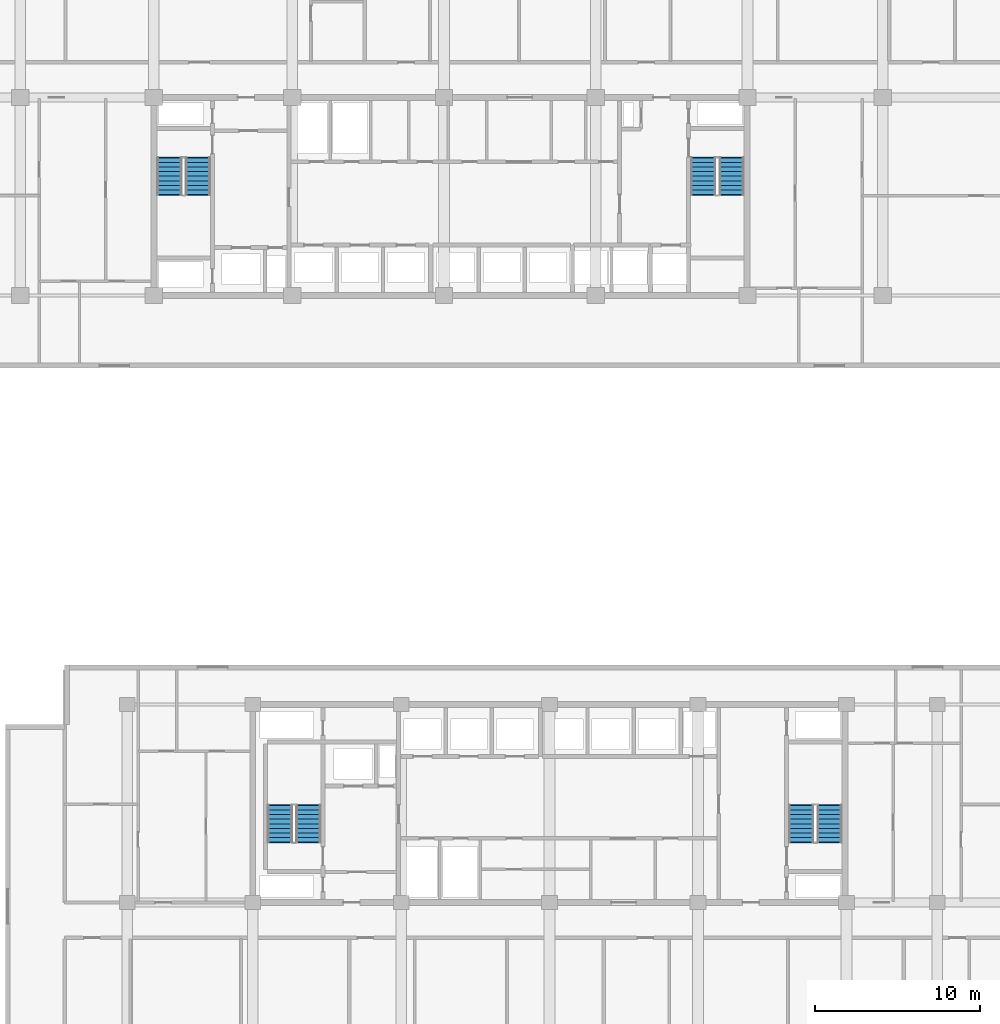
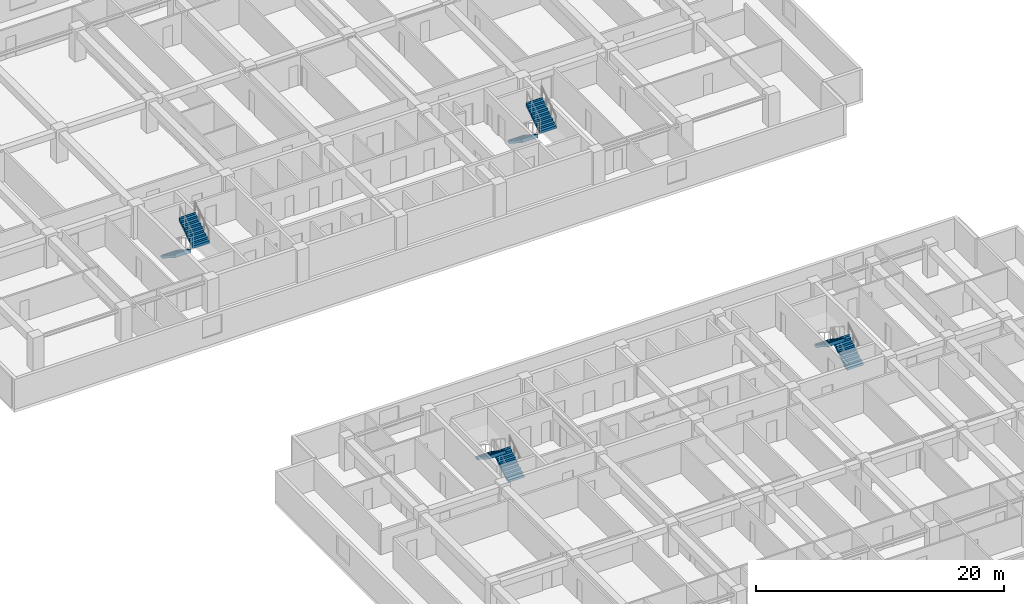
# One storey, part 18 of 23: 8 stair flights, 4 elements without a shape of their own.
"""IFC4 building model written with IfcOpenShell, lengths in metres."""

from ifc_helpers import new_model, si_unit, direction, frame, origin, place, context, subcontext, project, spatial, polyline, outline, extrude, material, type_object, element, aggregate, save


model = new_model("IFC4")

# Units and contexts
model_context = context("Model", 3, precision=1e-05, world=origin(), true_north=direction((0.0, 1.0)))
body_context = subcontext(model_context, "Body", "Model", "MODEL_VIEW")
ifc_project = project(units=[si_unit("LENGTHUNIT", "METRE"), si_unit("AREAUNIT", "SQUARE_METRE"), si_unit("VOLUMEUNIT", "CUBIC_METRE"), si_unit("PLANEANGLEUNIT", "RADIAN"), si_unit("MASSUNIT", "GRAM", prefix="KILO")], contexts=[model_context])

# Site, building, storey
site_placement = place(None, origin())
site = spatial("IfcSite", under=ifc_project, at=site_placement, CompositionType="ELEMENT")
building_placement = place(site_placement, origin())
building = spatial("IfcBuilding", under=site, at=building_placement, Name="Korimba Cascade Residences", CompositionType="ELEMENT")
storey_placement = place(building_placement, frame((0.0, 0.0, 50.0)))
storey = spatial("IfcBuildingStorey", under=building, at=storey_placement, Name="L13", CompositionType="ELEMENT", Elevation=50.0)

# Stair, stair flights
ifc_material = material(Name="Concrete C50/60", Category="concrete")
stair_type_1 = type_object("IfcStairType", Name="STR-W1-18R-1806", PredefinedType="HALF_TURN_STAIR", material=ifc_material)
stair_1_placement = place(storey_placement, origin())
stair_1 = element("IfcStair", 1, at=stair_1_placement, inside=storey, type_object=stair_type_1, Name="L13 Tower 1 West Fire Stair ST-W1", PredefinedType="HALF_TURN_STAIR")
stair_flight_type = type_object("IfcStairFlightType", Name="STF-DL-18R-1806-1520", PredefinedType="STRAIGHT", material=ifc_material)
stair_flight_1_placement = place(storey_placement, frame((77.06005859375, 63.550048828125, 0.0), z_axis=(0.0, 0.0, 1.0), x_axis=(0.0, -1.0, 0.0)))
stair_flight_1 = element("IfcStairFlight", 2, at=stair_flight_1_placement, type_object=stair_flight_type, Name="ST-W1 flight 1", NumberOfRisers=9, NumberOfTreads=8, PredefinedType="STRAIGHT", RiserHeight=0.180555556, TreadLength=0.28, context=body_context, shape_type="SweptSolid", body=[
    extrude(outline(polyline([(-0.0380859375, 0.0), (0.0, 0.1806640625), (0.280029296875, 0.1806640625), (0.280029296875, 0.361083984375), (0.56005859375, 0.361083984375), (0.56005859375, 0.541748046875), (0.840087890625, 0.541748046875), (0.840087890625, 0.72216796875), (1.1201171875, 0.72216796875), (1.1201171875, 0.90283203125), (1.39990234375, 0.90283203125), (1.39990234375, 1.083251953125), (1.679931640625, 1.083251953125), (1.679931640625, 1.263916015625), (1.9599609375, 1.263916015625), (1.9599609375, 1.4443359375), (2.239990234375, 1.4443359375), (2.239990234375, 1.625), (2.278076171875, 1.625), (2.278076171875, 1.26611328125), (0.276611328125, 0.0), (0.276611328125, -0.0380859375), (-0.0380859375, -0.0380859375), (-0.0380859375, 0.0)])), frame((0.0, 0.760009765625, 0.0), z_axis=(0.0, -1.0, 0.0), x_axis=(1.0, 0.0, 0.0)), (0.0, 0.0, 1.0), 1.52001953125),
])
stair_flight_2_placement = place(storey_placement, frame((78.780029296875, 61.31005859375, 1.625), z_axis=(0.0, 0.0, 1.0), x_axis=(0.0, 1.0, 0.0)))
stair_flight_2 = element("IfcStairFlight", 3, at=stair_flight_2_placement, type_object=stair_flight_type, Name="ST-W1 flight 2", NumberOfRisers=9, NumberOfTreads=8, PredefinedType="STRAIGHT", RiserHeight=0.180555556, TreadLength=0.28, context=body_context, shape_type="SweptSolid", body=[
    extrude(outline(polyline([(-0.0380859375, 0.0), (0.0, 0.1806640625), (0.280029296875, 0.1806640625), (0.280029296875, 0.361083984375), (0.56005859375, 0.361083984375), (0.56005859375, 0.541748046875), (0.840087890625, 0.541748046875), (0.840087890625, 0.72216796875), (1.1201171875, 0.72216796875), (1.1201171875, 0.90283203125), (1.39990234375, 0.90283203125), (1.39990234375, 1.083251953125), (1.679931640625, 1.083251953125), (1.679931640625, 1.263916015625), (1.9599609375, 1.263916015625), (1.9599609375, 1.4443359375), (2.239990234375, 1.4443359375), (2.239990234375, 1.625), (2.278076171875, 1.625), (2.278076171875, 1.26611328125), (0.276611328125, 0.0), (0.276611328125, -0.0380859375), (-0.0380859375, -0.0380859375), (-0.0380859375, 0.0)])), frame((0.0, 0.760009765625, 0.0), z_axis=(0.0, -1.0, 0.0), x_axis=(1.0, 0.0, 0.0)), (0.0, 0.0, 1.0), 1.52001953125),
])
aggregate(stair_1, [stair_flight_1, stair_flight_2])

stair_type_2 = type_object("IfcStairType", Name="STR-W2-18R-1806", PredefinedType="HALF_TURN_STAIR", material=ifc_material)
stair_2_placement = place(storey_placement, origin())
stair_2 = element("IfcStair", 4, at=stair_2_placement, inside=storey, type_object=stair_type_2, Name="L13 Tower 1 East Fire Stair ST-W2", PredefinedType="HALF_TURN_STAIR")
stair_flight_3_placement = place(storey_placement, frame((109.419921875, 63.550048828125, 0.0), z_axis=(0.0, 0.0, 1.0), x_axis=(0.0, -1.0, 0.0)))
stair_flight_3 = element("IfcStairFlight", 5, at=stair_flight_3_placement, type_object=stair_flight_type, Name="ST-W2 flight 1", NumberOfRisers=9, NumberOfTreads=8, PredefinedType="STRAIGHT", RiserHeight=0.180555556, TreadLength=0.28, context=body_context, shape_type="SweptSolid", body=[
    extrude(outline(polyline([(-0.0380859375, 0.0), (0.0, 0.1806640625), (0.280029296875, 0.1806640625), (0.280029296875, 0.361083984375), (0.56005859375, 0.361083984375), (0.56005859375, 0.541748046875), (0.840087890625, 0.541748046875), (0.840087890625, 0.72216796875), (1.1201171875, 0.72216796875), (1.1201171875, 0.90283203125), (1.39990234375, 0.90283203125), (1.39990234375, 1.083251953125), (1.679931640625, 1.083251953125), (1.679931640625, 1.263916015625), (1.9599609375, 1.263916015625), (1.9599609375, 1.4443359375), (2.239990234375, 1.4443359375), (2.239990234375, 1.625), (2.278076171875, 1.625), (2.278076171875, 1.26611328125), (0.276611328125, 0.0), (0.276611328125, -0.0380859375), (-0.0380859375, -0.0380859375), (-0.0380859375, 0.0)])), frame((0.0, 0.760009765625, 0.0), z_axis=(0.0, -1.0, 0.0), x_axis=(1.0, 0.0, 0.0)), (0.0, 0.0, 1.0), 1.52001953125),
])
stair_flight_4_placement = place(storey_placement, frame((111.139892578125, 61.31005859375, 1.625), z_axis=(0.0, 0.0, 1.0), x_axis=(0.0, 1.0, 0.0)))
stair_flight_4 = element("IfcStairFlight", 6, at=stair_flight_4_placement, type_object=stair_flight_type, Name="ST-W2 flight 2", NumberOfRisers=9, NumberOfTreads=8, PredefinedType="STRAIGHT", RiserHeight=0.180555556, TreadLength=0.28, context=body_context, shape_type="SweptSolid", body=[
    extrude(outline(polyline([(-0.0380859375, 0.0), (0.0, 0.1806640625), (0.280029296875, 0.1806640625), (0.280029296875, 0.361083984375), (0.56005859375, 0.361083984375), (0.56005859375, 0.541748046875), (0.840087890625, 0.541748046875), (0.840087890625, 0.72216796875), (1.1201171875, 0.72216796875), (1.1201171875, 0.90283203125), (1.39990234375, 0.90283203125), (1.39990234375, 1.083251953125), (1.679931640625, 1.083251953125), (1.679931640625, 1.263916015625), (1.9599609375, 1.263916015625), (1.9599609375, 1.4443359375), (2.239990234375, 1.4443359375), (2.239990234375, 1.625), (2.278076171875, 1.625), (2.278076171875, 1.26611328125), (0.276611328125, 0.0), (0.276611328125, -0.0380859375), (-0.0380859375, -0.0380859375), (-0.0380859375, 0.0)])), frame((0.0, 0.760009765625, 0.0), z_axis=(0.0, -1.0, 0.0), x_axis=(1.0, 0.0, 0.0)), (0.0, 0.0, 1.0), 1.52001953125),
])
aggregate(stair_2, [stair_flight_3, stair_flight_4])

stair_type_3 = type_object("IfcStairType", Name="STR-E1-18R-1806", PredefinedType="HALF_TURN_STAIR", material=ifc_material)
stair_3_placement = place(storey_placement, origin())
stair_3 = element("IfcStair", 7, at=stair_3_placement, inside=storey, type_object=stair_type_3, Name="L13 Tower 2 West Fire Stair ST-E1", PredefinedType="HALF_TURN_STAIR")
stair_flight_5_placement = place(storey_placement, frame((85.47998046875, 22.050048828125, 0.0), z_axis=(0.0, 0.0, 1.0), x_axis=(0.0, 1.0, 0.0)))
stair_flight_5 = element("IfcStairFlight", 8, at=stair_flight_5_placement, type_object=stair_flight_type, Name="ST-E1 flight 1", NumberOfRisers=9, NumberOfTreads=8, PredefinedType="STRAIGHT", RiserHeight=0.180555556, TreadLength=0.28, context=body_context, shape_type="SweptSolid", body=[
    extrude(outline(polyline([(-0.0380859375, 0.0), (0.0, 0.1806640625), (0.280029296875, 0.1806640625), (0.280029296875, 0.361083984375), (0.56005859375, 0.361083984375), (0.56005859375, 0.541748046875), (0.840087890625, 0.541748046875), (0.840087890625, 0.72216796875), (1.1201171875, 0.72216796875), (1.1201171875, 0.90283203125), (1.39990234375, 0.90283203125), (1.39990234375, 1.083251953125), (1.679931640625, 1.083251953125), (1.679931640625, 1.263916015625), (1.9599609375, 1.263916015625), (1.9599609375, 1.4443359375), (2.239990234375, 1.4443359375), (2.239990234375, 1.625), (2.278076171875, 1.625), (2.278076171875, 1.26611328125), (0.276611328125, 0.0), (0.276611328125, -0.0380859375), (-0.0380859375, -0.0380859375), (-0.0380859375, 0.0)])), frame((0.0, 0.760009765625, 0.0), z_axis=(0.0, -1.0, 0.0), x_axis=(1.0, 0.0, 0.0)), (0.0, 0.0, 1.0), 1.52001953125),
])
stair_flight_6_placement = place(storey_placement, frame((83.760009765625, 24.2900390625, 1.625), z_axis=(0.0, 0.0, 1.0), x_axis=(0.0, -1.0, 0.0)))
stair_flight_6 = element("IfcStairFlight", 9, at=stair_flight_6_placement, type_object=stair_flight_type, Name="ST-E1 flight 2", NumberOfRisers=9, NumberOfTreads=8, PredefinedType="STRAIGHT", RiserHeight=0.180555556, TreadLength=0.28, context=body_context, shape_type="SweptSolid", body=[
    extrude(outline(polyline([(-0.0380859375, 0.0), (0.0, 0.1806640625), (0.280029296875, 0.1806640625), (0.280029296875, 0.361083984375), (0.56005859375, 0.361083984375), (0.56005859375, 0.541748046875), (0.840087890625, 0.541748046875), (0.840087890625, 0.72216796875), (1.1201171875, 0.72216796875), (1.1201171875, 0.90283203125), (1.39990234375, 0.90283203125), (1.39990234375, 1.083251953125), (1.679931640625, 1.083251953125), (1.679931640625, 1.263916015625), (1.9599609375, 1.263916015625), (1.9599609375, 1.4443359375), (2.239990234375, 1.4443359375), (2.239990234375, 1.625), (2.278076171875, 1.625), (2.278076171875, 1.26611328125), (0.276611328125, 0.0), (0.276611328125, -0.0380859375), (-0.0380859375, -0.0380859375), (-0.0380859375, 0.0)])), frame((0.0, 0.760009765625, 0.0), z_axis=(0.0, -1.0, 0.0), x_axis=(1.0, 0.0, 0.0)), (0.0, 0.0, 1.0), 1.52001953125),
])
aggregate(stair_3, [stair_flight_5, stair_flight_6])

stair_type_4 = type_object("IfcStairType", Name="STR-E2-18R-1806", PredefinedType="HALF_TURN_STAIR", material=ifc_material)
stair_4_placement = place(storey_placement, origin())
stair_4 = element("IfcStair", 10, at=stair_4_placement, inside=storey, type_object=stair_type_4, Name="L13 Tower 2 East Fire Stair ST-E2", PredefinedType="HALF_TURN_STAIR")
stair_flight_7_placement = place(storey_placement, frame((117.080078125, 22.050048828125, 0.0), z_axis=(0.0, 0.0, 1.0), x_axis=(0.0, 1.0, 0.0)))
stair_flight_7 = element("IfcStairFlight", 11, at=stair_flight_7_placement, type_object=stair_flight_type, Name="ST-E2 flight 1", NumberOfRisers=9, NumberOfTreads=8, PredefinedType="STRAIGHT", RiserHeight=0.180555556, TreadLength=0.28, context=body_context, shape_type="SweptSolid", body=[
    extrude(outline(polyline([(-0.0380859375, 0.0), (0.0, 0.1806640625), (0.280029296875, 0.1806640625), (0.280029296875, 0.361083984375), (0.56005859375, 0.361083984375), (0.56005859375, 0.541748046875), (0.840087890625, 0.541748046875), (0.840087890625, 0.72216796875), (1.1201171875, 0.72216796875), (1.1201171875, 0.90283203125), (1.39990234375, 0.90283203125), (1.39990234375, 1.083251953125), (1.679931640625, 1.083251953125), (1.679931640625, 1.263916015625), (1.9599609375, 1.263916015625), (1.9599609375, 1.4443359375), (2.239990234375, 1.4443359375), (2.239990234375, 1.625), (2.278076171875, 1.625), (2.278076171875, 1.26611328125), (0.276611328125, 0.0), (0.276611328125, -0.0380859375), (-0.0380859375, -0.0380859375), (-0.0380859375, 0.0)])), frame((0.0, 0.760009765625, 0.0), z_axis=(0.0, -1.0, 0.0), x_axis=(1.0, 0.0, 0.0)), (0.0, 0.0, 1.0), 1.52001953125),
])
stair_flight_8_placement = place(storey_placement, frame((115.360107421875, 24.2900390625, 1.625), z_axis=(0.0, 0.0, 1.0), x_axis=(0.0, -1.0, 0.0)))
stair_flight_8 = element("IfcStairFlight", 12, at=stair_flight_8_placement, type_object=stair_flight_type, Name="ST-E2 flight 2", NumberOfRisers=9, NumberOfTreads=8, PredefinedType="STRAIGHT", RiserHeight=0.180555556, TreadLength=0.28, context=body_context, shape_type="SweptSolid", body=[
    extrude(outline(polyline([(-0.0380859375, 0.0), (0.0, 0.1806640625), (0.280029296875, 0.1806640625), (0.280029296875, 0.361083984375), (0.56005859375, 0.361083984375), (0.56005859375, 0.541748046875), (0.840087890625, 0.541748046875), (0.840087890625, 0.72216796875), (1.1201171875, 0.72216796875), (1.1201171875, 0.90283203125), (1.39990234375, 0.90283203125), (1.39990234375, 1.083251953125), (1.679931640625, 1.083251953125), (1.679931640625, 1.263916015625), (1.9599609375, 1.263916015625), (1.9599609375, 1.4443359375), (2.239990234375, 1.4443359375), (2.239990234375, 1.625), (2.278076171875, 1.625), (2.278076171875, 1.26611328125), (0.276611328125, 0.0), (0.276611328125, -0.0380859375), (-0.0380859375, -0.0380859375), (-0.0380859375, 0.0)])), frame((0.0, 0.760009765625, 0.0), z_axis=(0.0, -1.0, 0.0), x_axis=(1.0, 0.0, 0.0)), (0.0, 0.0, 1.0), 1.52001953125),
])
aggregate(stair_4, [stair_flight_7, stair_flight_8])

save(model, "model.ifc")
